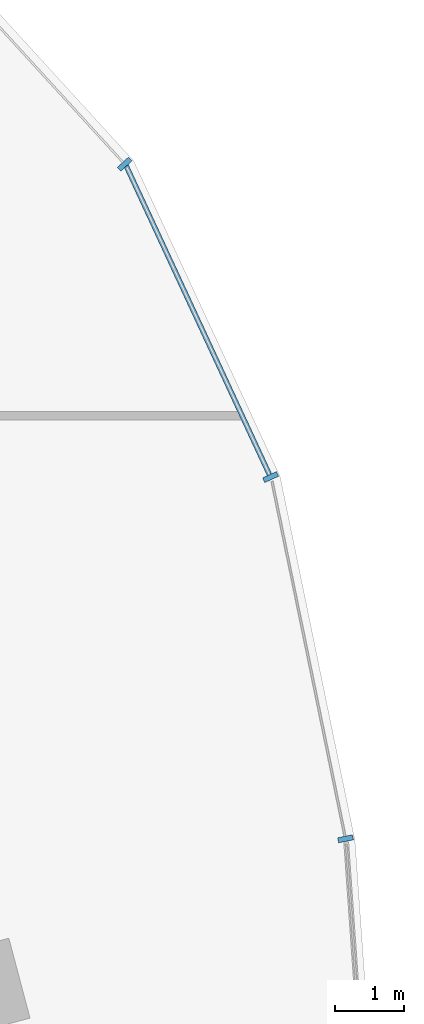
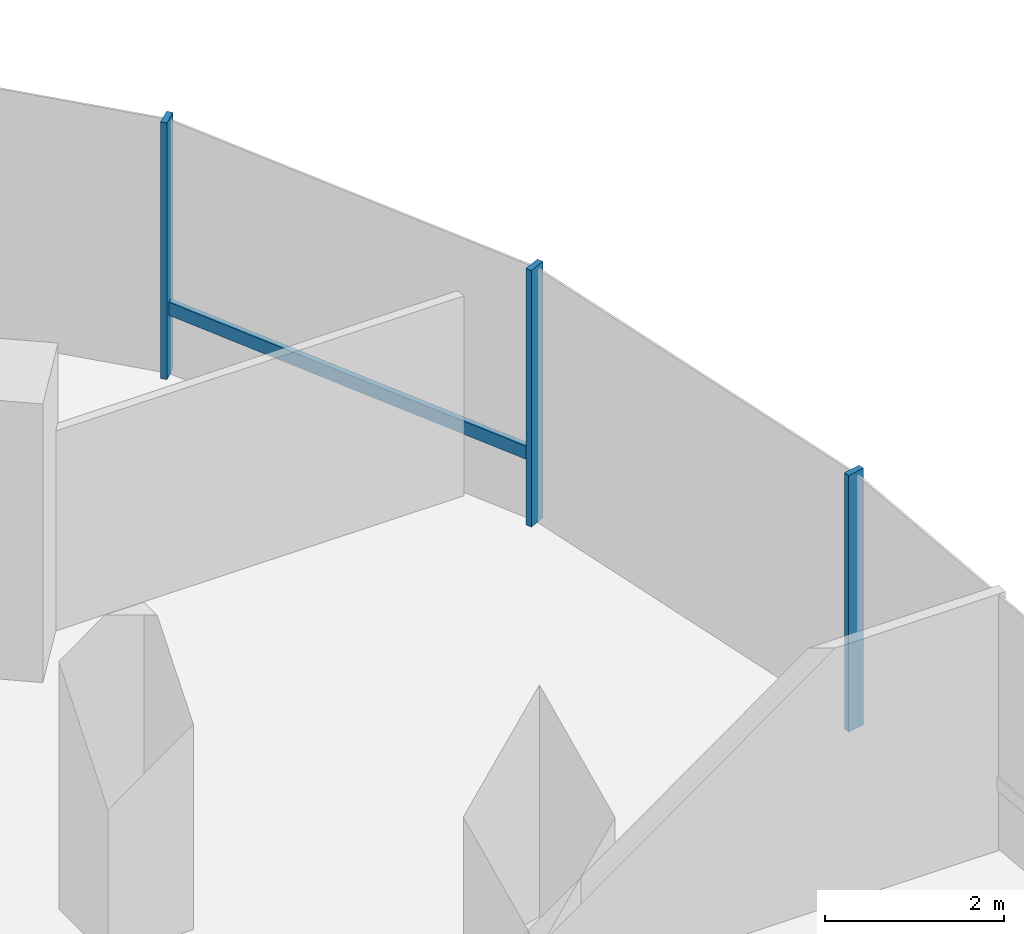
# One storey, part 8 of 21: 4 members, 1 element without a shape of its own.
"""IFC4 building model written with IfcOpenShell, lengths in metres."""

from ifc_helpers import new_model, si_unit, direction, frame, origin, origin_2d, place, context, subcontext, project, spatial, rectangle, extrude, material, material_profile, profile_set, type_object, element, aggregate, save


model = new_model("IFC4")

# Units and contexts
model_context = context("Model", 3, precision=1e-05, world=origin(), true_north=direction((0.0, 1.0)))
body_context = subcontext(model_context, "Body", "Model", "MODEL_VIEW")
ifc_project = project(units=[si_unit("LENGTHUNIT", "METRE"), si_unit("AREAUNIT", "SQUARE_METRE"), si_unit("VOLUMEUNIT", "CUBIC_METRE"), si_unit("PLANEANGLEUNIT", "RADIAN"), si_unit("MASSUNIT", "GRAM", prefix="KILO"), si_unit("THERMODYNAMICTEMPERATUREUNIT", "KELVIN"), si_unit("POWERUNIT", "WATT")], contexts=[model_context])

# Site, building, storey
site_placement = place(None, origin())
site = spatial("IfcSite", under=ifc_project, at=site_placement, CompositionType="ELEMENT")
building_placement = place(site_placement, origin())
building = spatial("IfcBuilding", under=site, at=building_placement, Name="Cundina Bronze Exchange", CompositionType="ELEMENT")
storey_placement = place(building_placement, frame((0.0, 0.0, 62.0)))
storey = spatial("IfcBuildingStorey", under=building, at=storey_placement, Name="L15", CompositionType="ELEMENT", Elevation=62.0)

# Curtain wall, members
ifc_material = material(Name="Anodised Bronze Aluminium 6063-T6", Category="aluminium")
curtain_wall_type = type_object("IfcCurtainWallType", Name="CWS-TRD-LOW", PredefinedType="NOTDEFINED", material=ifc_material)
curtain_wall_placement = place(storey_placement, origin())
curtain_wall = element("IfcCurtainWall", 1, at=curtain_wall_placement, inside=storey, type_object=curtain_wall_type, Name="L15 CW-02 Curtain Wall Run CWR-L15-E1", PredefinedType="NOTDEFINED")
ifc_material_profile_1 = material_profile(ifc_material, rectangle(XDim=0.074951171875, YDim=0.219970703125, at=origin_2d()), Name="AL75X220", Category="aluminium")
ifc_profile_set_1 = profile_set([ifc_material_profile_1], Name="Anodised Bronze Aluminium 6063-T6")
member_type_1 = type_object("IfcMemberType", Name="CWM-MUL-220", PredefinedType="MULLION", material=ifc_profile_set_1)
member_1_placement = place(storey_placement, frame((50.717041015625, 8.67822265625, 0.0), z_axis=(0.0, 0.0, 1.0), x_axis=(-0.201419845156, 0.979505000486, 0.0)))
member_1 = element("IfcMember", 2, at=member_1_placement, type_object=member_type_1, Name="CW-02 Mullion 2", PredefinedType="MULLION", context=body_context, shape_type="SweptSolid", body=[
    extrude(rectangle(XDim=0.074951171875, YDim=0.219970703125, at=origin_2d()), origin(), (0.0, 0.0, 1.0), 3.5),
])
member_2_placement = place(storey_placement, frame((49.6279296875, 13.931884765625, 0.0), z_axis=(0.0, 0.0, 1.0), x_axis=(-0.42087749791, 0.907117485088, 0.0)))
member_2 = element("IfcMember", 3, at=member_2_placement, type_object=member_type_1, Name="CW-02 Mullion 3", PredefinedType="MULLION", context=body_context, shape_type="SweptSolid", body=[
    extrude(rectangle(XDim=0.074951171875, YDim=0.219970703125, at=origin_2d()), origin(), (0.0, 0.0, 1.0), 3.5),
])
member_3_placement = place(storey_placement, frame((47.508544921875, 18.47705078125, 0.0), z_axis=(0.0, 0.0, 1.0), x_axis=(-0.674302387584, 0.738455340626, 0.0)))
member_3 = element("IfcMember", 4, at=member_3_placement, type_object=member_type_1, Name="CW-02 Mullion 4", PredefinedType="MULLION", context=body_context, shape_type="SweptSolid", body=[
    extrude(rectangle(XDim=0.074951171875, YDim=0.219970703125, at=origin_2d()), origin(), (0.0, 0.0, 1.0), 3.5),
])
ifc_material_profile_2 = material_profile(ifc_material, rectangle(XDim=0.070068359375, YDim=0.179931640625, at=origin_2d()), Name="AL70X180", Category="aluminium")
ifc_profile_set_2 = profile_set([ifc_material_profile_2], Name="Anodised Bronze Aluminium 6063-T6")
member_type_2 = type_object("IfcMemberType", Name="CWM-TRN-180", PredefinedType="USERDEFINED", material=ifc_profile_set_2)
member_4_placement = place(storey_placement, frame((49.610595703125, 13.96923828125, 0.919921875), z_axis=(-0.420811422796, 0.907148139195, 0.0), x_axis=(-0.907148139195, -0.420811422796, 0.0)))
member_4 = element("IfcMember", 5, at=member_4_placement, type_object=member_type_2, Name="CW-02 Spandrel Transom 3", ObjectType="TRANSOM", PredefinedType="USERDEFINED", context=body_context, shape_type="SweptSolid", body=[
    extrude(rectangle(XDim=0.070068359375, YDim=0.179931640625, at=origin_2d()), origin(), (0.0, 0.0, 1.0), 4.95166015625),
])
aggregate(curtain_wall, [member_1, member_2, member_4, member_3])

save(model, "model.ifc")
